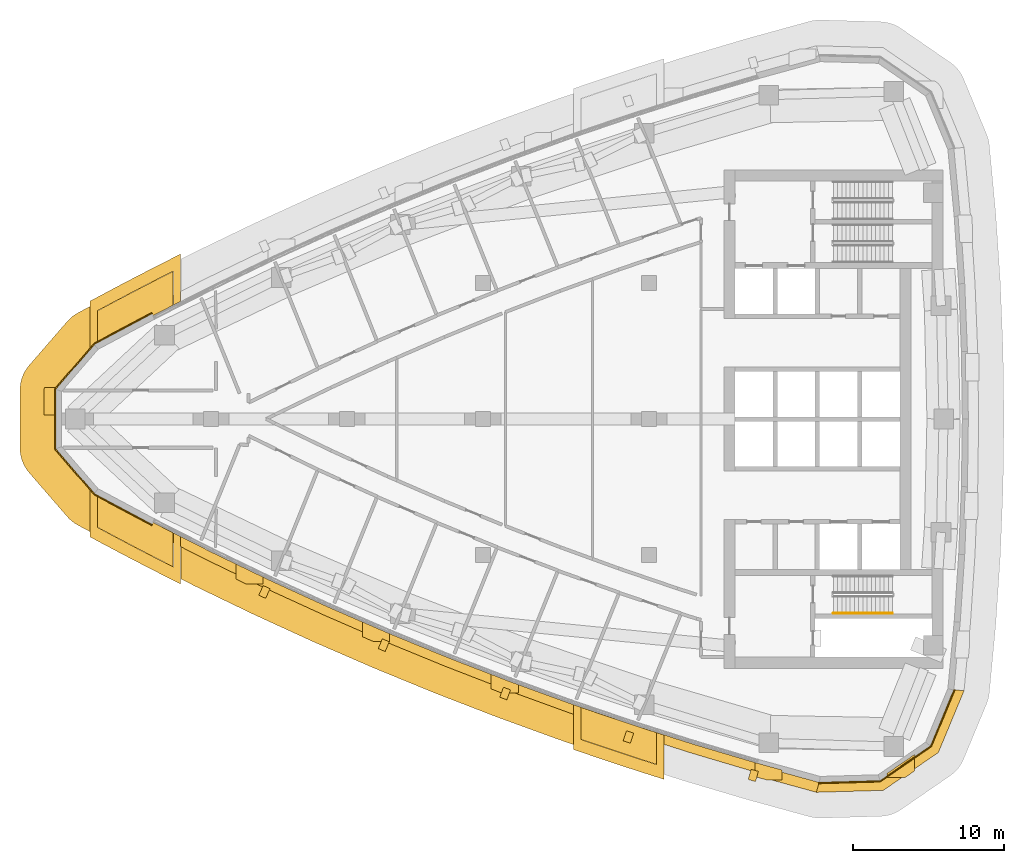
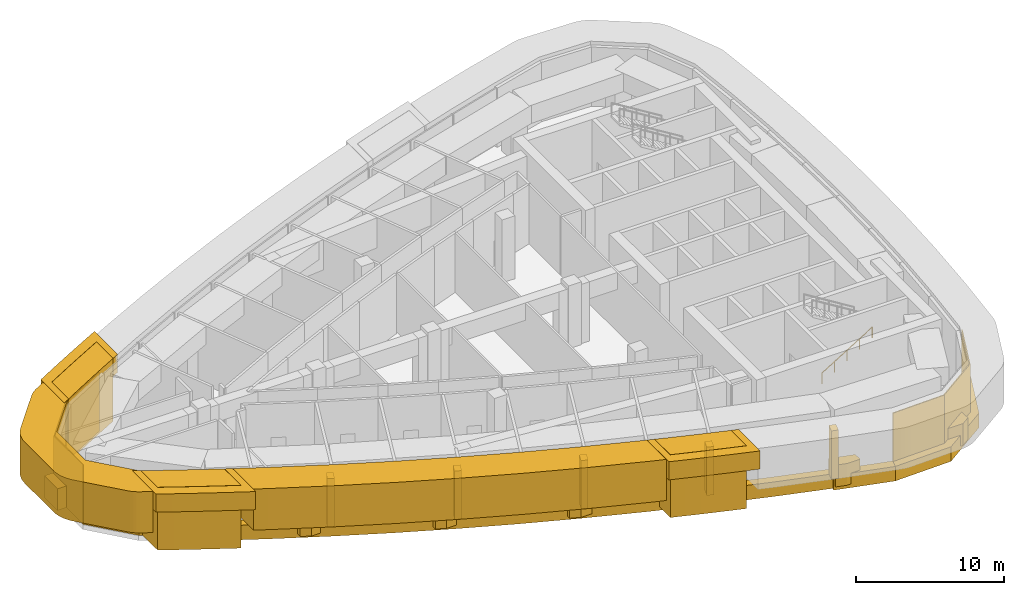
# One storey, part 14 of 17: 30 coverings, 1 railing.
"""IFC4 building model written with IfcOpenShell, lengths in metres."""

from ifc_helpers import new_model, si_unit, direction, frame, frame_2d, origin, origin_2d, place, context, subcontext, project, spatial, polyline, rectangle, circle, outline, extrude, material, layer, layer_set, type_object, element, save


model = new_model("IFC4")

# Units and contexts
model_context = context("Model", 3, precision=1e-05, world=origin(), true_north=direction((0.0, 1.0)))
body_context = subcontext(model_context, "Body", "Model", "MODEL_VIEW")
ifc_project = project(units=[si_unit("LENGTHUNIT", "METRE"), si_unit("AREAUNIT", "SQUARE_METRE"), si_unit("VOLUMEUNIT", "CUBIC_METRE"), si_unit("PLANEANGLEUNIT", "RADIAN"), si_unit("MASSUNIT", "GRAM", prefix="KILO")], contexts=[model_context])

# Site, building, storey
site_placement = place(None, origin())
site = spatial("IfcSite", under=ifc_project, at=site_placement, CompositionType="ELEMENT")
building_placement = place(site_placement, origin())
building = spatial("IfcBuilding", under=site, at=building_placement, Name="Ostrand Prow Hotel Tower", CompositionType="ELEMENT")
storey_placement = place(building_placement, frame((0.0, 0.0, 211.0)))
storey = spatial("IfcBuildingStorey", under=building, at=storey_placement, Name="L53", CompositionType="ELEMENT", Elevation=211.0)

# Coverings
ifc_material_1 = material(Name="Limestone cladding", Category="masonry")
ifc_layer_1 = layer(ifc_material_1, 2.0)
ifc_layer_set_1 = layer_set([ifc_layer_1], Name="Limestone cladding")
covering_type_1 = type_object("IfcCoveringType", Name="Belt lip limestone", PredefinedType="CLADDING", material=ifc_layer_set_1)
covering_1_placement = place(storey_placement, frame((0.0, 0.0, 1.800048828125)))
element("IfcCovering", 1, at=covering_1_placement, inside=storey, type_object=covering_type_1, Name="Belt L53 1", PredefinedType="CLADDING", context=body_context, shape_type="SweptSolid", body=[
    extrude(outline(polyline([(7.204345703125, -7.03271484375), (7.989990234375, -7.451904296875), (7.989990234375, -4.618408203125), (7.989990234375, -4.617431640625), (7.990234375, -4.616455078125), (7.990478515625, -4.615478515625), (7.99072265625, -4.614501953125), (7.9912109375, -4.61376953125), (7.99169921875, -4.61279296875), (7.9921875, -4.612060546875), (7.992919921875, -4.611328125), (7.99365234375, -4.610595703125), (7.994384765625, -4.610107421875), (7.995361328125, -4.609619140625), (7.99609375, -4.609130859375), (7.9970703125, -4.60888671875), (7.998046875, -4.608642578125), (7.9990234375, -4.6083984375), (8.0, -4.6083984375), (8.0009765625, -4.6083984375), (8.001953125, -4.608642578125), (8.0029296875, -4.60888671875), (8.00390625, -4.609130859375), (8.0048828125, -4.609619140625), (8.360595703125, -4.8037109375), (5.864013671875, -1.921875), (5.864013671875, 1.921875), (8.360595703125, 4.8037109375), (8.0048828125, 4.609619140625), (8.00390625, 4.609130859375), (8.0029296875, 4.60888671875), (8.001953125, 4.608642578125), (8.0009765625, 4.6083984375), (8.0, 4.6083984375), (7.9990234375, 4.6083984375), (7.998046875, 4.608642578125), (7.9970703125, 4.60888671875), (7.99609375, 4.609130859375), (7.995361328125, 4.609619140625), (7.994384765625, 4.610107421875), (7.99365234375, 4.610595703125), (7.992919921875, 4.611328125), (7.9921875, 4.612060546875), (7.99169921875, 4.61279296875), (7.9912109375, 4.61376953125), (7.99072265625, 4.614501953125), (7.990478515625, 4.615478515625), (7.990234375, 4.616455078125), (7.989990234375, 4.617431640625), (7.989990234375, 4.618408203125), (7.989990234375, 7.451904296875), (7.204345703125, 7.03271484375), (7.007080078125, 6.915771484375), (6.821533203125, 6.781005859375), (6.64892578125, 6.6298828125), (6.4912109375, 6.4638671875), (3.974365234375, 3.558837890625), (3.8173828125, 3.35791015625), (3.681884765625, 3.14208984375), (3.569091796875, 2.91357421875), (3.47998046875, 2.6748046875), (3.415771484375, 2.42822265625), (3.376953125, 2.17626953125), (3.364013671875, 1.921875), (3.364013671875, -1.921875), (3.376953125, -2.17626953125), (3.415771484375, -2.42822265625), (3.47998046875, -2.6748046875), (3.569091796875, -2.91357421875), (3.681884765625, -3.14208984375), (3.8173828125, -3.35791015625), (3.974365234375, -3.558837890625), (6.4912109375, -6.4638671875), (6.64892578125, -6.6298828125), (6.821533203125, -6.781005859375), (7.007080078125, -6.915771484375), (7.204345703125, -7.03271484375)])), origin(), (0.0, 0.0, 1.0), 3.39990234375),
])
covering_2_placement = place(storey_placement, frame((0.0, 0.0, 1.800048828125)))
element("IfcCovering", 2, at=covering_2_placement, inside=storey, type_object=covering_type_1, Name="Belt L53 2", PredefinedType="CLADDING", context=body_context, shape_type="SweptSolid", body=[
    extrude(outline(polyline([(39.018798828125, -21.21337890625), (39.989990234375, -21.544677734375), (39.989990234375, -18.908447265625), (39.989990234375, -18.907470703125), (39.990234375, -18.906494140625), (39.990478515625, -18.905517578125), (39.99072265625, -18.904541015625), (39.9912109375, -18.903564453125), (39.9912109375, -18.903564453125), (39.826171875, -18.84716796875), (35.777587890625, -17.374267578125), (31.759521484375, -15.820068359375), (27.773193359375, -14.185302734375), (23.821044921875, -12.470458984375), (19.90380859375, -10.676513671875), (16.023681640625, -8.80419921875), (13.773193359375, -7.66162109375), (14.004638671875, -7.780029296875), (14.00537109375, -7.780517578125), (14.006103515625, -7.781005859375), (14.007080078125, -7.78173828125), (14.0078125, -7.782470703125), (14.00830078125, -7.783203125), (14.0087890625, -7.7841796875), (14.00927734375, -7.784912109375), (14.009521484375, -7.785888671875), (14.009765625, -7.786865234375), (14.010009765625, -7.787841796875), (14.010009765625, -7.788818359375), (14.010009765625, -10.58544921875), (14.89208984375, -11.033447265625), (14.937255859375, -11.0556640625), (18.8173828125, -12.927978515625), (18.863037109375, -12.94970703125), (22.780029296875, -14.743408203125), (22.825927734375, -14.763916015625), (26.7783203125, -16.478759765625), (26.82470703125, -16.498291015625), (30.810791015625, -18.133056640625), (30.857421875, -18.151611328125), (34.875732421875, -19.705810546875), (34.9228515625, -19.7236328125), (38.971435546875, -21.196533203125), (39.018798828125, -21.21337890625)])), origin(), (0.0, 0.0, 1.0), 3.39990234375),
])
covering_3_placement = place(storey_placement, origin())
element("IfcCovering", 3, at=covering_3_placement, inside=storey, type_object=covering_type_1, Name="Belt fin 1 L53", PredefinedType="CLADDING", context=body_context, shape_type="SweptSolid", body=[
    extrude(outline(polyline([(4.968505859375, 2.013427734375), (4.9638671875, 1.921875), (4.9638671875, 0.271484375), (5.864013671875, 0.271484375), (5.864013671875, 1.921875), (5.99365234375, 2.071533203125), (4.9775390625, 2.071533203125), (4.968505859375, 2.013427734375)])), origin(), (0.0, 0.0, 1.0), 1.800048828125),
])
covering_4_placement = place(storey_placement, origin())
element("IfcCovering", 4, at=covering_4_placement, inside=storey, type_object=covering_type_1, Name="Belt fin 3 L53", PredefinedType="CLADDING", context=body_context, shape_type="SweptSolid", body=[
    extrude(outline(polyline([(17.66552734375, -10.595703125), (18.359619140625, -10.9306640625), (19.465576171875, -10.9306640625), (19.465576171875, -10.465087890625), (17.66552734375, -9.596435546875), (17.66552734375, -10.595703125)])), origin(), (0.0, 0.0, 1.0), 1.800048828125),
])
covering_5_placement = place(storey_placement, origin())
element("IfcCovering", 5, at=covering_5_placement, inside=storey, type_object=covering_type_1, Name="Belt fin 4 L53", PredefinedType="CLADDING", context=body_context, shape_type="SweptSolid", body=[
    extrude(outline(polyline([(26.033935546875, -14.41162109375), (26.7470703125, -14.72119140625), (27.833984375, -14.72119140625), (27.833984375, -14.210205078125), (27.773193359375, -14.185302734375), (26.033935546875, -13.4306640625), (26.033935546875, -14.41162109375)])), origin(), (0.0, 0.0, 1.0), 1.800048828125),
])
covering_6_placement = place(storey_placement, origin())
element("IfcCovering", 6, at=covering_6_placement, inside=storey, type_object=covering_type_1, Name="Belt fin 5 L53", PredefinedType="CLADDING", context=body_context, shape_type="SweptSolid", body=[
    extrude(outline(polyline([(34.556884765625, -17.8671875), (35.2890625, -18.150390625), (36.35693359375, -18.150390625), (36.35693359375, -17.585205078125), (35.777587890625, -17.374267578125), (34.556884765625, -16.902099609375), (34.556884765625, -17.8671875)])), origin(), (0.0, 0.0, 1.0), 1.800048828125),
])
covering_7_placement = place(storey_placement, origin())
element("IfcCovering", 7, at=covering_7_placement, inside=storey, type_object=covering_type_1, Name="Belt fin 7 L53", PredefinedType="CLADDING", context=body_context, shape_type="SweptSolid", body=[
    extrude(outline(polyline([(52.0087890625, -23.6708984375), (52.787109375, -23.885009765625), (53.80859375, -23.885009765625), (53.80859375, -23.232421875), (52.138427734375, -22.773193359375), (52.0087890625, -22.734619140625), (52.0087890625, -23.6708984375)])), origin(), (0.0, 0.0, 1.0), 1.800048828125),
])
covering_8_placement = place(storey_placement, origin())
element("IfcCovering", 8, at=covering_8_placement, inside=storey, type_object=covering_type_1, Name="Belt fin 8 L53", PredefinedType="CLADDING", context=body_context, shape_type="SweptSolid", body=[
    extrude(outline(polyline([(61.94677734375, -23.729736328125), (62.56689453125, -23.302978515625), (62.56689453125, -22.21044921875), (60.76708984375, -23.448974609375), (60.76708984375, -23.729736328125), (61.94677734375, -23.729736328125)])), origin(), (0.0, 0.0, 1.0), 1.800048828125),
])
ifc_material_2 = material(Name="Bronze anodised aluminium cladding", Category="aluminium")
ifc_layer_2 = layer(ifc_material_2, 0.60009765625)
ifc_layer_set_2 = layer_set([ifc_layer_2], Name="Bronze anodised aluminium cladding")
covering_type_2 = type_object("IfcCoveringType", Name="Bronze spandrel band 1200x600", PredefinedType="CLADDING", material=ifc_layer_set_2)
covering_9_placement = place(storey_placement, frame((0.0, 0.0, -0.300048828125)))
element("IfcCovering", 9, at=covering_9_placement, inside=storey, type_object=covering_type_2, Name="Spandrel band S1", PredefinedType="CLADDING", context=body_context, shape_type="SweptSolid", body=[
    extrude(outline(polyline([(11.9052734375, -7.38623046875), (15.757568359375, -9.341796875), (19.648681640625, -11.219482421875), (23.57666015625, -13.0185546875), (27.5400390625, -14.738037109375), (31.537353515625, -16.37744140625), (35.566650390625, -17.93603515625), (39.626708984375, -19.4130859375), (43.7158203125, -20.80810546875), (47.831787109375, -22.12060546875), (51.9736328125, -23.35009765625), (52.138427734375, -22.773193359375), (48.00830078125, -21.547119140625), (43.90380859375, -20.23828125), (39.826171875, -18.84716796875), (35.777587890625, -17.374267578125), (31.759521484375, -15.820068359375), (27.773193359375, -14.185302734375), (23.821044921875, -12.470458984375), (19.90380859375, -10.676513671875), (16.023681640625, -8.80419921875), (12.18212890625, -6.85400390625), (11.9052734375, -7.38623046875)])), origin(), (0.0, 0.0, 1.0), 1.199951171875),
])
covering_10_placement = place(storey_placement, frame((0.0, 0.0, -0.300048828125)))
element("IfcCovering", 10, at=covering_10_placement, inside=storey, type_object=covering_type_2, Name="Spandrel band back 1", PredefinedType="CLADDING", context=body_context, shape_type="SweptSolid", body=[
    extrude(outline(polyline([(51.9130859375, -23.561767578125), (56.0830078125, -24.708740234375), (56.256591796875, -24.05126953125), (52.10009765625, -22.907958984375), (51.9130859375, -23.561767578125)])), origin(), (0.0, 0.0, 1.0), 1.199951171875),
])
covering_11_placement = place(storey_placement, frame((0.0, 0.0, -0.300048828125)))
element("IfcCovering", 11, at=covering_11_placement, inside=storey, type_object=covering_type_2, Name="Spandrel band back 2", PredefinedType="CLADDING", context=body_context, shape_type="SweptSolid", body=[
    extrude(outline(polyline([(56.0830078125, -24.708740234375), (60.5087890625, -24.581787109375), (64.15625, -22.072021484375), (65.856201171875, -17.98388671875), (65.259765625, -17.919677734375), (63.68994140625, -21.694091796875), (60.322509765625, -24.011474609375), (56.236328125, -24.128662109375), (56.0830078125, -24.708740234375)])), origin(), (0.0, 0.0, 1.0), 1.199951171875),
])
ifc_material_3 = material(Name="Limestone cladding", Category="masonry")
ifc_layer_3 = layer(ifc_material_3, 5.0)
ifc_layer_set_3 = layer_set([ifc_layer_3], Name="Limestone cladding")
covering_type_3 = type_object("IfcCoveringType", Name="Portal jamb pilaster limestone", PredefinedType="CLADDING", material=ifc_layer_set_3)
covering_12_placement = place(storey_placement, origin())
element("IfcCovering", 12, at=covering_12_placement, inside=storey, type_object=covering_type_3, Name="Portal jamb SA L53", PredefinedType="CLADDING", context=body_context, shape_type="SweptSolid", body=[
    extrude(outline(polyline([(8.5, -4.89208984375), (8.5, -7.1669921875), (9.5, -7.702392578125), (10.5, -8.231201171875), (11.5, -8.75341796875), (12.5, -9.268798828125), (13.5, -9.777587890625), (13.5, -7.533935546875), (12.5, -7.01904296875), (11.5, -6.497314453125), (10.5, -5.968994140625), (9.5, -5.43408203125), (8.5, -4.89208984375)])), origin(), (0.0, 0.0, 1.0), 5.199951171875),
])
covering_13_placement = place(storey_placement, origin())
element("IfcCovering", 13, at=covering_13_placement, inside=storey, type_object=covering_type_3, Name="Portal jamb SB L53", PredefinedType="CLADDING", context=body_context, shape_type="SweptSolid", body=[
    extrude(outline(polyline([(40.5, -19.08349609375), (40.5, -21.200439453125), (41.5, -21.542724609375), (42.5, -21.879638671875), (43.5, -22.211181640625), (44.5, -22.537109375), (45.5, -22.85791015625), (45.5, -20.75830078125), (44.5, -20.43408203125), (43.5, -20.104736328125), (42.5, -19.769775390625), (41.5, -19.429443359375), (40.5, -19.08349609375)])), origin(), (0.0, 0.0, 1.0), 5.199951171875),
])
covering_14_placement = place(storey_placement, origin())
element("IfcCovering", 14, at=covering_14_placement, inside=storey, type_object=covering_type_3, Name="Portal jamb NA L53", PredefinedType="CLADDING", context=body_context, shape_type="SweptSolid", body=[
    extrude(outline(polyline([(8.5, 4.89208984375), (9.5, 5.43408203125), (10.5, 5.968994140625), (11.5, 6.497314453125), (12.5, 7.01904296875), (13.5, 7.533935546875), (13.5, 9.777587890625), (12.5, 9.268798828125), (11.5, 8.75341796875), (10.5, 8.231201171875), (9.5, 7.702392578125), (8.5, 7.1669921875), (8.5, 4.89208984375)])), origin(), (0.0, 0.0, 1.0), 5.199951171875),
])
ifc_material_4 = material(Name="Limestone cladding", Category="masonry")
ifc_layer_4 = layer(ifc_material_4, 4.0)
ifc_layer_set_4 = layer_set([ifc_layer_4], Name="Limestone cladding")
covering_type_4 = type_object("IfcCoveringType", Name="Portal lintel limestone", PredefinedType="CLADDING", material=ifc_layer_set_4)
covering_15_placement = place(storey_placement, frame((0.0, 0.0, 3.699951171875)))
element("IfcCovering", 15, at=covering_15_placement, inside=storey, type_object=covering_type_4, Name="Portal jamb cap SA L53", PredefinedType="CLADDING", context=body_context, shape_type="SweptSolid", body=[
    extrude(outline(polyline([(8.49169921875, -4.88671875), (8.0, -4.618408203125), (8.0, -7.806396484375), (9.0, -8.342529296875), (10.0, -8.872314453125), (11.0, -9.395263671875), (12.0, -9.91162109375), (13.0, -10.42138671875), (14.0, -10.924560546875), (14.0, -7.788818359375), (13.510009765625, -7.5380859375), (13.510009765625, -9.777587890625), (13.510009765625, -9.77880859375), (13.509765625, -9.77978515625), (13.509521484375, -9.780517578125), (13.50927734375, -9.781494140625), (13.5087890625, -9.782470703125), (13.50830078125, -9.783203125), (13.5078125, -9.783935546875), (13.507080078125, -9.784912109375), (13.50634765625, -9.785400390625), (13.505615234375, -9.785888671875), (13.5048828125, -9.78662109375), (13.50390625, -9.786865234375), (13.5029296875, -9.787353515625), (13.502197265625, -9.78759765625), (13.501220703125, -9.78759765625), (13.500244140625, -9.78759765625), (13.499267578125, -9.78759765625), (13.498291015625, -9.78759765625), (13.497314453125, -9.787353515625), (13.496337890625, -9.787109375), (13.49560546875, -9.78662109375), (12.49560546875, -9.277587890625), (12.495361328125, -9.277587890625), (11.495361328125, -8.76220703125), (11.495361328125, -8.76220703125), (10.495361328125, -8.239990234375), (10.495361328125, -8.239990234375), (9.495361328125, -7.711181640625), (9.495361328125, -7.711181640625), (8.495361328125, -7.17578125), (8.494384765625, -7.17529296875), (8.49365234375, -7.1748046875), (8.492919921875, -7.174072265625), (8.4921875, -7.17333984375), (8.49169921875, -7.172607421875), (8.4912109375, -7.171630859375), (8.49072265625, -7.1708984375), (8.490478515625, -7.169921875), (8.490234375, -7.1689453125), (8.489990234375, -7.16796875), (8.489990234375, -7.1669921875), (8.489990234375, -4.89208984375), (8.489990234375, -4.89111328125), (8.490234375, -4.889892578125), (8.490478515625, -4.88916015625), (8.49072265625, -4.88818359375), (8.4912109375, -4.88720703125), (8.49169921875, -4.88671875)])), origin(), (0.0, 0.0, 1.0), 1.5),
])
covering_16_placement = place(storey_placement, frame((0.0, 0.0, 3.699951171875)))
element("IfcCovering", 16, at=covering_16_placement, inside=storey, type_object=covering_type_4, Name="Portal jamb cap SB L53", PredefinedType="CLADDING", context=body_context, shape_type="SweptSolid", body=[
    extrude(outline(polyline([(40.49072265625, -19.07958984375), (40.0, -18.908447265625), (40.0, -21.8740234375), (41.0, -22.2177734375), (42.0, -22.555908203125), (43.0, -22.888671875), (44.0, -23.21630859375), (45.0, -23.5380859375), (46.0, -23.85498046875), (46.0, -20.918212890625), (45.510009765625, -20.7607421875), (45.510009765625, -22.85791015625), (45.510009765625, -22.85888671875), (45.509765625, -22.85986328125), (45.509521484375, -22.86083984375), (45.50927734375, -22.86181640625), (45.5087890625, -22.86279296875), (45.50830078125, -22.863525390625), (45.5078125, -22.8642578125), (45.507080078125, -22.864990234375), (45.50634765625, -22.86572265625), (45.505615234375, -22.8662109375), (45.504638671875, -22.86669921875), (45.503662109375, -22.8671875), (45.502685546875, -22.867431640625), (45.501708984375, -22.867919921875), (45.5009765625, -22.867919921875), (45.5, -22.867919921875), (45.498779296875, -22.867919921875), (45.497802734375, -22.86767578125), (45.496826171875, -22.867431640625), (44.496826171875, -22.546875), (44.496826171875, -22.546630859375), (43.496826171875, -22.220703125), (43.496826171875, -22.220703125), (42.496826171875, -21.88916015625), (42.496826171875, -21.88916015625), (41.496826171875, -21.55224609375), (41.496826171875, -21.55224609375), (40.496826171875, -21.2099609375), (40.495849609375, -21.20947265625), (40.4951171875, -21.208984375), (40.494140625, -21.20849609375), (40.493408203125, -21.2080078125), (40.492919921875, -21.207275390625), (40.4921875, -21.20654296875), (40.49169921875, -21.205810546875), (40.4912109375, -21.205078125), (40.49072265625, -21.2041015625), (40.490478515625, -21.203125), (40.490234375, -21.202392578125), (40.489990234375, -21.201416015625), (40.489990234375, -21.200439453125), (40.489990234375, -19.08349609375), (40.489990234375, -19.08251953125), (40.490234375, -19.08154296875), (40.490478515625, -19.08056640625), (40.49072265625, -19.07958984375), (40.49072265625, -19.07958984375)])), origin(), (0.0, 0.0, 1.0), 1.5),
])
covering_17_placement = place(storey_placement, frame((0.0, 0.0, 3.699951171875)))
element("IfcCovering", 17, at=covering_17_placement, inside=storey, type_object=covering_type_4, Name="Portal jamb cap NA L53", PredefinedType="CLADDING", context=body_context, shape_type="SweptSolid", body=[
    extrude(outline(polyline([(8.0, 7.806396484375), (8.0, 4.618408203125), (8.49169921875, 4.88671875), (8.4912109375, 4.88720703125), (8.49072265625, 4.88818359375), (8.490478515625, 4.88916015625), (8.490234375, 4.889892578125), (8.489990234375, 4.89111328125), (8.489990234375, 4.89208984375), (8.489990234375, 7.1669921875), (8.489990234375, 7.16796875), (8.490234375, 7.1689453125), (8.490478515625, 7.169921875), (8.49072265625, 7.1708984375), (8.4912109375, 7.171630859375), (8.49169921875, 7.172607421875), (8.4921875, 7.17333984375), (8.492919921875, 7.174072265625), (8.49365234375, 7.1748046875), (8.494384765625, 7.17529296875), (8.495361328125, 7.17578125), (9.495361328125, 7.711181640625), (9.495361328125, 7.711181640625), (10.495361328125, 8.239990234375), (10.495361328125, 8.239990234375), (11.495361328125, 8.76220703125), (11.495361328125, 8.76220703125), (12.495361328125, 9.277587890625), (12.49560546875, 9.277587890625), (13.49560546875, 9.78662109375), (13.496337890625, 9.787109375), (13.497314453125, 9.787353515625), (13.498291015625, 9.78759765625), (13.499267578125, 9.78759765625), (13.500244140625, 9.78759765625), (13.501220703125, 9.78759765625), (13.502197265625, 9.78759765625), (13.5029296875, 9.787353515625), (13.50390625, 9.786865234375), (13.5048828125, 9.78662109375), (13.505615234375, 9.785888671875), (13.50634765625, 9.785400390625), (13.507080078125, 9.784912109375), (13.5078125, 9.783935546875), (13.50830078125, 9.783203125), (13.5087890625, 9.782470703125), (13.50927734375, 9.781494140625), (13.509521484375, 9.780517578125), (13.509765625, 9.77978515625), (13.510009765625, 9.77880859375), (13.510009765625, 9.777587890625), (13.510009765625, 7.5380859375), (14.0, 7.788818359375), (14.0, 10.924560546875), (13.0, 10.42138671875), (12.0, 9.91162109375), (11.0, 9.395263671875), (10.0, 8.872314453125), (9.0, 8.342529296875), (8.0, 7.806396484375)])), origin(), (0.0, 0.0, 1.0), 1.5),
])
ifc_material_5 = material(Name="Limestone cladding", Category="masonry")
ifc_layer_5 = layer(ifc_material_5, 0.5)
ifc_layer_set_5 = layer_set([ifc_layer_5], Name="Limestone cladding")
covering_type_5 = type_object("IfcCoveringType", Name="Precast stone fin 500x600", PredefinedType="CLADDING", material=ifc_layer_set_5)
for number, where, z_axis, x_axis, name in (
    (18, (19.691162109375, -11.129150390625, 0.89990234375), (0.0, 0.0, 1.0), (-0.425595424807, -0.904913550779, 0.0), "Stone fin S 3"),
    (19, (27.578857421875, -14.64599609375, 0.89990234375), (0.0, 0.0, 1.0), (-0.388524706088, -0.92143830654, 0.0), "Stone fin S 5"),
):
    element("IfcCovering", number, at=place(storey_placement, frame(where, z_axis=z_axis, x_axis=x_axis)), inside=storey, type_object=covering_type_5, Name=name, PredefinedType="CLADDING", context=body_context, shape_type="SweptSolid", body=[
        extrude(rectangle(XDim=0.699951171875, YDim=0.5, at=frame_2d((0.35009765625, 0.0))), origin(), (0.0, 0.0, 1.0), 4.0),
    ])
for number, where, z_axis, x_axis, name in (
    (20, (35.601806640625, -17.84228515625, 0.89990234375), (0.0, 0.0, 1.0), (-0.351161657254, -0.936314845805, 0.0), "Stone fin S 7"),
    (21, (43.7470703125, -20.713134765625, 0.89990234375), (0.0, 0.0, 1.0), (-0.313506388498, -0.949586091079, 0.0), "Stone fin S 9"),
    (22, (52.001220703125, -23.25390625, 0.89990234375), (0.0, 0.0, 1.0), (-0.275135611865, -0.96140542701, 0.0), "Stone fin S 11"),
):
    element("IfcCovering", number, at=place(storey_placement, frame(where, z_axis=z_axis, x_axis=x_axis)), inside=storey, type_object=covering_type_5, Name=name, PredefinedType="CLADDING", context=body_context, shape_type="SweptSolid", body=[
        extrude(rectangle(XDim=0.7001953125, YDim=0.5, at=frame_2d((0.35009765625, 0.0))), origin(), (0.0, 0.0, 1.0), 4.0),
    ])

# Railing
ifc_material_6 = material(Name="Stainless steel", Category="steel")
railing_type = type_object("IfcRailingType", Name="Stair handrail 900", PredefinedType="HANDRAIL", material=ifc_material_6)
railing_placement = place(storey_placement, frame((57.199951171875, -12.85009765625, 0.17333984375)))
element("IfcRailing", 23, at=railing_placement, inside=storey, type_object=railing_type, Name="L53 ST2C stair handrail 1", PredefinedType="HANDRAIL", context=body_context, shape_type="SweptSolid", body=[
    extrude(circle(Radius=0.02392578125, at=origin_2d()), frame((0.0, 0.0, 0.8759765625), z_axis=(0.850266275192, 0.0, 0.526352791643), x_axis=(0.0, 1.0, 0.0)), (0.0, 0.0, 1.0), 4.610595703125),
    extrude(circle(Radius=0.02099609375, at=origin_2d()), origin(), (0.0, 0.0, 1.0), 0.851806640625),
    extrude(circle(Radius=0.02099609375, at=origin_2d()), frame((0.97998046875, 0.0, 0.606689453125)), (0.0, 0.0, 1.0), 0.851806640625),
    extrude(circle(Radius=0.02099609375, at=origin_2d()), frame((1.9599609375, 0.0, 1.21337890625)), (0.0, 0.0, 1.0), 0.851806640625),
    extrude(circle(Radius=0.02099609375, at=origin_2d()), frame((2.940185546875, 0.0, 1.820068359375)), (0.0, 0.0, 1.0), 0.851806640625),
    extrude(circle(Radius=0.02099609375, at=origin_2d()), frame((3.920166015625, 0.0, 2.4267578125)), (0.0, 0.0, 1.0), 0.851806640625),
])

# Coverings
ifc_material_7 = material(Name="Limestone cladding", Category="masonry")
ifc_layer_6 = layer(ifc_material_7, 0.080078125)
ifc_layer_set_6 = layer_set([ifc_layer_6], Name="Limestone cladding")
covering_type_6 = type_object("IfcCoveringType", Name="Warm limestone cladding 80 mm", PredefinedType="CLADDING", material=ifc_layer_set_6)
covering_18_placement = place(storey_placement, frame((12.09912109375, 7.013916015625, 0.0), z_axis=(0.0, 0.0, 1.0), x_axis=(-0.882399955629, -0.470500072588, 0.0)))
element("IfcCovering", 24, at=covering_18_placement, inside=storey, type_object=covering_type_6, Name="Limestone cladding prow 1", PredefinedType="CLADDING", context=body_context, shape_type="SweptSolid", body=[
    extrude(outline(polyline([(0.0, -0.0400390625), (4.3193359375, -0.0400390625), (4.3046875, 0.0400390625), (0.0, 0.0400390625), (0.0, -0.0400390625)])), origin(), (0.0, 0.0, 1.0), 4.89990234375),
])
covering_19_placement = place(storey_placement, frame((8.294189453125, 4.985107421875, 0.0), z_axis=(0.0, 0.0, 1.0), x_axis=(-0.654773641781, -0.755825031359, 0.0)))
element("IfcCovering", 25, at=covering_19_placement, inside=storey, type_object=covering_type_6, Name="Limestone cladding prow 2", PredefinedType="CLADDING", context=body_context, shape_type="SweptSolid", body=[
    extrude(outline(polyline([(-0.00732421875, -0.0400390625), (3.984375, -0.0400390625), (3.95458984375, 0.0400390625), (0.00732421875, 0.0400390625), (-0.00732421875, -0.0400390625)])), origin(), (0.0, 0.0, 1.0), 4.89990234375),
])
covering_20_placement = place(storey_placement, frame((5.695068359375, 1.98486328125, 0.0), z_axis=(0.0, 0.0, 1.0), x_axis=(0.0, -1.0, 0.0)))
element("IfcCovering", 26, at=covering_20_placement, inside=storey, type_object=covering_type_6, Name="Limestone cladding prow 3", PredefinedType="CLADDING", context=body_context, shape_type="SweptSolid", body=[
    extrude(outline(polyline([(-0.014892578125, -0.0400390625), (3.984619140625, -0.0400390625), (3.954833984375, 0.0400390625), (0.014892578125, 0.0400390625), (-0.014892578125, -0.0400390625)])), origin(), (0.0, 0.0, 1.0), 4.89990234375),
])
covering_21_placement = place(storey_placement, frame((5.695068359375, -1.98486328125, 0.0), z_axis=(0.0, 0.0, 1.0), x_axis=(0.654773641781, -0.755825031359, 0.0)))
element("IfcCovering", 27, at=covering_21_placement, inside=storey, type_object=covering_type_6, Name="Limestone cladding prow 4", PredefinedType="CLADDING", context=body_context, shape_type="SweptSolid", body=[
    extrude(outline(polyline([(-0.014892578125, -0.0400390625), (3.976806640625, -0.0400390625), (3.962158203125, 0.0400390625), (0.014892578125, 0.0400390625), (-0.014892578125, -0.0400390625)])), origin(), (0.0, 0.0, 1.0), 4.89990234375),
])
covering_22_placement = place(storey_placement, frame((8.294189453125, -4.985107421875, 0.0), z_axis=(0.0, 0.0, 1.0), x_axis=(0.882399955629, -0.470500072588, 0.0)))
element("IfcCovering", 28, at=covering_22_placement, inside=storey, type_object=covering_type_6, Name="Limestone cladding prow 5", PredefinedType="CLADDING", context=body_context, shape_type="SweptSolid", body=[
    extrude(outline(polyline([(-0.00732421875, -0.0400390625), (4.31201171875, -0.0400390625), (4.31201171875, 0.0400390625), (0.00732421875, 0.0400390625), (-0.00732421875, -0.0400390625)])), origin(), (0.0, 0.0, 1.0), 4.89990234375),
])
covering_23_placement = place(storey_placement, frame((56.24658203125, -24.08984375, 0.0), z_axis=(0.0, 0.0, 1.0), x_axis=(0.999589584341, 0.028647214115, 0.0)))
element("IfcCovering", 29, at=covering_23_placement, inside=storey, type_object=covering_type_6, Name="Limestone cladding back 2", PredefinedType="CLADDING", context=body_context, shape_type="SweptSolid", body=[
    extrude(outline(polyline([(-0.006103515625, -0.0400390625), (4.076904296875, -0.0400390625), (4.053466796875, 0.0400390625), (0.006103515625, 0.0400390625), (-0.006103515625, -0.0400390625)])), origin(), (0.0, 0.0, 1.0), 4.89990234375),
])
covering_24_placement = place(storey_placement, frame((60.31005859375, -23.973388671875, 0.0), z_axis=(0.0, 0.0, 1.0), x_axis=(0.823801781542, 0.566877962818, 0.0)))
element("IfcCovering", 30, at=covering_24_placement, inside=storey, type_object=covering_type_6, Name="Limestone cladding back 3", PredefinedType="CLADDING", context=body_context, shape_type="SweptSolid", body=[
    extrude(outline(polyline([(-0.01171875, -0.0400390625), (4.076904296875, -0.0400390625), (4.053466796875, 0.0400390625), (0.01171875, 0.0400390625), (-0.01171875, -0.0400390625)])), origin(), (0.0, 0.0, 1.0), 4.89990234375),
])
covering_25_placement = place(storey_placement, frame((63.658935546875, -21.6689453125, 0.0), z_axis=(0.0, 0.0, 1.0), x_axis=(0.384009748376, 0.9233290384, 0.0)))
element("IfcCovering", 31, at=covering_25_placement, inside=storey, type_object=covering_type_6, Name="Limestone cladding back 4", PredefinedType="CLADDING", context=body_context, shape_type="SweptSolid", body=[
    extrude(outline(polyline([(-0.01171875, -0.0400390625), (4.0712890625, -0.0400390625), (4.05908203125, 0.0400390625), (0.01171875, 0.0400390625), (-0.01171875, -0.0400390625)])), origin(), (0.0, 0.0, 1.0), 4.89990234375),
])

save(model, "model.ifc")
